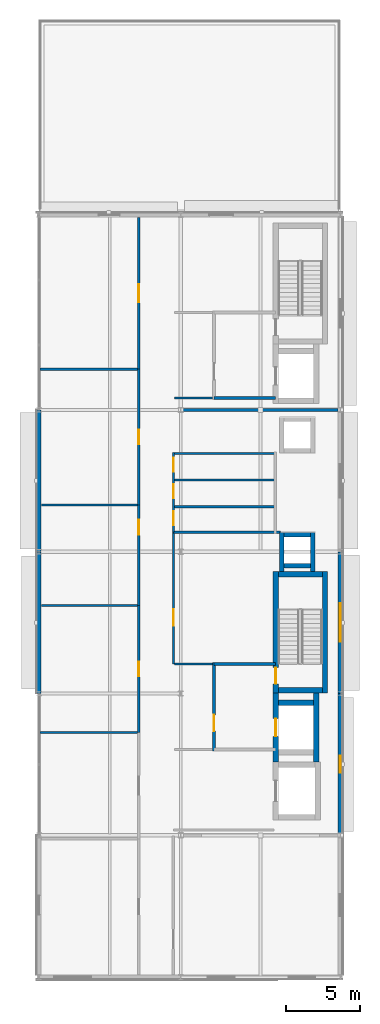
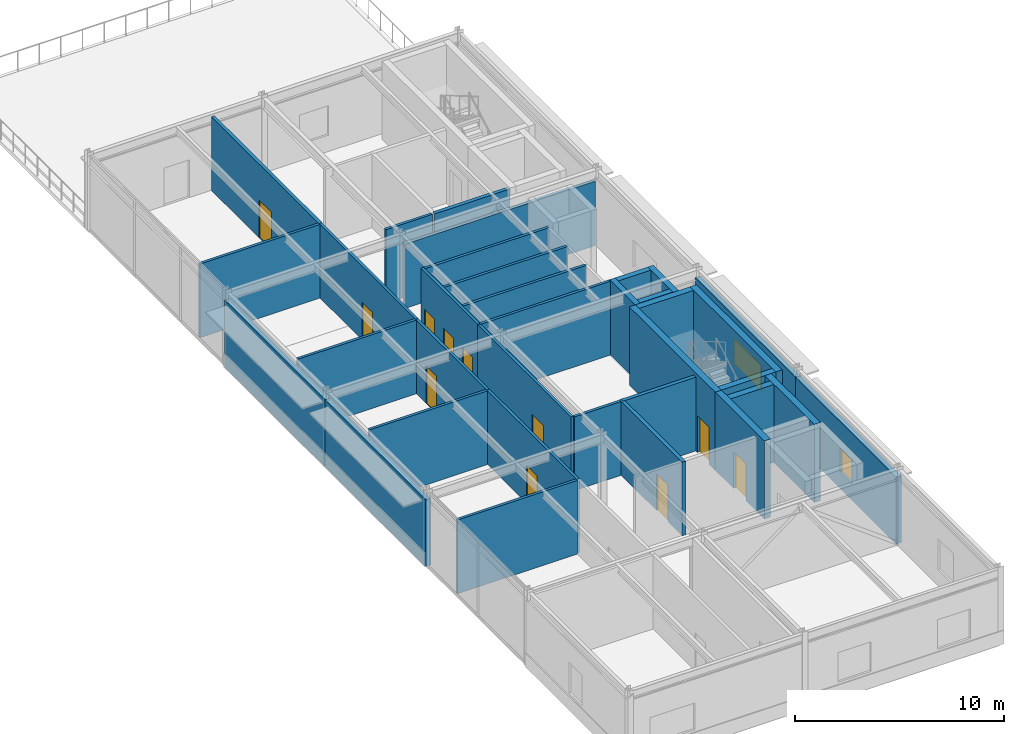
# One storey, part 14 of 18: 35 walls, 11 doors, 2 windows, 13 openings.
"""IFC4 building model written with IfcOpenShell, lengths in metres."""

from ifc_helpers import new_model, si_unit, direction, frame, frame_2d, origin, place, context, subcontext, project, spatial, rectangle, extrude, material, layer, layer_set, type_object, element, fill, save


model = new_model("IFC4")

# Units and contexts
model_context = context("Model", 3, precision=1e-05, world=origin(), true_north=direction((0.0, 1.0)))
body_context = subcontext(model_context, "Body", "Model", "MODEL_VIEW")
ifc_project = project(units=[si_unit("LENGTHUNIT", "METRE"), si_unit("AREAUNIT", "SQUARE_METRE"), si_unit("VOLUMEUNIT", "CUBIC_METRE"), si_unit("PLANEANGLEUNIT", "RADIAN"), si_unit("MASSUNIT", "GRAM", prefix="KILO")], contexts=[model_context])

# Site, building, storey
site_placement = place(None, origin())
site = spatial("IfcSite", under=ifc_project, at=site_placement, CompositionType="ELEMENT")
building_placement = place(site_placement, origin())
building = spatial("IfcBuilding", under=site, at=building_placement, Name="Almandine Court Research Institute", CompositionType="ELEMENT")
storey_placement = place(building_placement, frame((0.0, 0.0, 37.10009765625)))
storey = spatial("IfcBuildingStorey", under=building, at=storey_placement, Name="L08", CompositionType="ELEMENT", Elevation=37.10009765625)

# Walls
ifc_material_1 = material(Name="Insulated Ochre Terracotta Rainscreen Wall", Category="masonry")
ifc_layer_1 = layer(ifc_material_1, 0.2900390625)
ifc_layer_set_1 = layer_set([ifc_layer_1], Name="Insulated Ochre Terracotta Rainscreen Wall")
wall_type_1 = type_object("IfcWallType", Name="Wall-EXT-TERR-290", PredefinedType="SOLIDWALL", material=ifc_layer_set_1)
wall_1_placement = place(storey_placement, frame((153.60009765625, 25.2041015625, 0.0), z_axis=(0.0, 0.0, 1.0), x_axis=(0.0, 1.0, 0.0)))
element("IfcWall", 1, at=wall_1_placement, inside=storey, type_object=wall_type_1, Name="L08 Wet Lab West Facade Wall 3", PredefinedType="SOLIDWALL", context=body_context, shape_type="SweptSolid", body=[
    extrude(rectangle(XDim=9.591796875, YDim=0.2900390625, at=frame_2d((4.7958984375, 0.0))), origin(), (0.0, 0.0, 1.0), 3.907958984375),
])
wall_2_placement = place(storey_placement, frame((153.60009765625, 34.803955078125, 0.0), z_axis=(0.0, 0.0, 1.0), x_axis=(0.0, 1.0, 0.0)))
element("IfcWall", 2, at=wall_2_placement, inside=storey, type_object=wall_type_1, Name="L08 Wet Lab West Facade Wall 4", PredefinedType="SOLIDWALL", context=body_context, shape_type="SweptSolid", body=[
    extrude(rectangle(XDim=9.592041015625, YDim=0.2900390625, at=frame_2d((4.7958984375, 0.0))), origin(), (0.0, 0.0, 1.0), 3.907958984375),
])

# Wall, opening, window
wall_3_placement = place(storey_placement, frame((174.0, 34.7958984375, 0.0), z_axis=(0.0, 0.0, 1.0), x_axis=(0.0, -1.0, 0.0)))
wall_3 = element("IfcWall", 3, at=wall_3_placement, inside=storey, type_object=wall_type_1, Name="L08 Wet Lab East Facade Wall 3", PredefinedType="SOLIDWALL", context=body_context, shape_type="SweptSolid", body=[
    extrude(rectangle(XDim=9.591796875, YDim=0.2900390625, at=frame_2d((4.7958984375, 0.0))), origin(), (0.0, 0.0, 1.0), 3.89892578125),
])
opening_1_placement = place(wall_3_placement, frame((3.5009765625, 0.0, 0.949951171875)))
opening_1 = element("IfcOpeningElement", 4, at=opening_1_placement, cuts=wall_3, Name="Opening WN-65", PredefinedType="OPENING", context=body_context, shape_type="SweptSolid", body=[
    extrude(rectangle(XDim=2.590087890625, YDim=1.47998046875, at=frame_2d((1.294921875, 0.739990234375))), frame((0.0, 0.155029296875, 0.0), z_axis=(0.0, -1.0, 0.0), x_axis=(1.0, 0.0, 0.0)), (0.0, 0.0, 1.0), 0.31005859375),
])
ifc_material_2 = material(Name="Thermally Broken Low-E Double-Glazed Window", Category="glass")
window_type_1 = type_object("IfcWindowType", Name="Win-WN-65-2590x1480", PartitioningType="SINGLE_PANEL", PredefinedType="WINDOW", material=ifc_material_2)
window_1_placement = place(opening_1_placement, origin())
window_1 = element("IfcWindow", 5, at=window_1_placement, inside=storey, type_object=window_type_1, Name="L08 Modular Recessed Low-E Window 188", OverallHeight=1.47998046875, OverallWidth=2.590087890625, PartitioningType="SINGLE_PANEL", PredefinedType="WINDOW", context=body_context, shape_type="SweptSolid", body=[
    extrude(rectangle(XDim=2.590087890625, YDim=1.47998046875, at=frame_2d((1.294921875, 0.739990234375))), frame((0.0, 0.030029296875, 0.0), z_axis=(0.0, -1.0, 0.0), x_axis=(1.0, 0.0, 0.0)), (0.0, 0.0, 1.0), 0.06005859375),
])
fill(opening_1, window_1)

wall_4_placement = place(storey_placement, frame((174.0, 25.196044921875, 0.0), z_axis=(0.0, 0.0, 1.0), x_axis=(0.0, -1.0, 0.0)))
wall_4 = element("IfcWall", 6, at=wall_4_placement, inside=storey, type_object=wall_type_1, Name="L08 Wet Lab East Facade Wall 2", PredefinedType="SOLIDWALL", context=body_context, shape_type="SweptSolid", body=[
    extrude(rectangle(XDim=9.592041015625, YDim=0.2900390625, at=frame_2d((4.7958984375, 0.0))), origin(), (0.0, 0.0, 1.0), 3.89892578125),
])
opening_2_placement = place(wall_4_placement, frame((4.216064453125, 0.0, 0.949951171875)))
opening_2 = element("IfcOpeningElement", 7, at=opening_2_placement, cuts=wall_4, Name="Opening WN-66", PredefinedType="OPENING", context=body_context, shape_type="SweptSolid", body=[
    extrude(rectangle(XDim=1.159912109375, YDim=1.39990234375, at=frame_2d((0.580078125, 0.699951171875))), frame((0.0, 0.155029296875, 0.0), z_axis=(0.0, -1.0, 0.0), x_axis=(1.0, 0.0, 0.0)), (0.0, 0.0, 1.0), 0.31005859375),
])
window_type_2 = type_object("IfcWindowType", Name="Win-WN-66-1160x1400", PartitioningType="SINGLE_PANEL", PredefinedType="WINDOW", material=ifc_material_2)
window_2_placement = place(opening_2_placement, origin())
window_2 = element("IfcWindow", 8, at=window_2_placement, inside=storey, type_object=window_type_2, Name="L08 Modular Recessed Low-E Window 189", OverallHeight=1.39990234375, OverallWidth=1.159912109375, PartitioningType="SINGLE_PANEL", PredefinedType="WINDOW", context=body_context, shape_type="SweptSolid", body=[
    extrude(rectangle(XDim=1.159912109375, YDim=1.39990234375, at=frame_2d((0.580078125, 0.699951171875))), frame((0.0, 0.030029296875, 0.0), z_axis=(0.0, -1.0, 0.0), x_axis=(1.0, 0.0, 0.0)), (0.0, 0.0, 1.0), 0.06005859375),
])
fill(opening_2, window_2)

# Wall, opening, door
ifc_material_3 = material(Name="One-Hour Fire-Rated Laboratory Partition")
ifc_layer_2 = layer(ifc_material_3, 0.175048828125)
ifc_layer_set_2 = layer_set([ifc_layer_2], Name="One-Hour Fire-Rated Laboratory Partition")
wall_type_2 = type_object("IfcWallType", Name="Wall-FIRE-175", PredefinedType="PARTITIONING", material=ifc_layer_set_2)
wall_5_placement = place(storey_placement, frame((160.35009765625, 47.159912109375, 0.0), z_axis=(0.0, 0.0, 1.0), x_axis=(0.0, 1.0, 0.0)))
wall_5 = element("IfcWall", 9, at=wall_5_placement, inside=storey, type_object=wall_type_2, Name="L08 Interior Partition W-V4-L08-WW-5", PredefinedType="PARTITIONING", context=body_context, shape_type="SweptSolid", body=[
    extrude(rectangle(XDim=10.280029296875, YDim=0.175048828125, at=frame_2d((5.14013671875, 0.0))), origin(), (0.0, 0.0, 1.0), 4.2998046875),
])
opening_3_placement = place(wall_5_placement, frame((4.5400390625, 0.0, 0.0)))
opening_3 = element("IfcOpeningElement", 10, at=opening_3_placement, cuts=wall_5, Name="Opening FD-LAB", PredefinedType="OPENING", context=body_context, shape_type="SweptSolid", body=[
    extrude(rectangle(XDim=1.199951171875, YDim=2.199951171875, at=frame_2d((0.60009765625, 1.10009765625))), frame((0.0, 0.097412109375, 0.0), z_axis=(0.0, -1.0, 0.0), x_axis=(1.0, 0.0, 0.0)), (0.0, 0.0, 1.0), 0.195068359375),
])
ifc_material_4 = material(Name="Fire-Rated Laboratory Containment Door")
door_type_1 = type_object("IfcDoorType", Name="Door-FD-LAB-1200", OperationType="NOTDEFINED", PredefinedType="DOOR", material=ifc_material_4)
door_1_placement = place(opening_3_placement, origin())
door_1 = element("IfcDoor", 11, at=door_1_placement, inside=storey, type_object=door_type_1, Name="L08 Wet Chemistry Laboratory Door", OperationType="SINGLE_SWING_RIGHT", OverallHeight=2.199951171875, OverallWidth=1.199951171875, PredefinedType="DOOR", context=body_context, shape_type="SweptSolid", body=[
    extrude(rectangle(XDim=1.199951171875, YDim=2.199951171875, at=frame_2d((0.60009765625, 1.10009765625))), frame((0.0, 0.02490234375, 0.0), z_axis=(0.0, -1.0, 0.0), x_axis=(1.0, 0.0, 0.0)), (0.0, 0.0, 1.0), 0.050048828125),
])
fill(opening_3, door_1)

# Wall
ifc_material_5 = material(Name="Two-Hour Fire-Barrier Enclosure Wall")
ifc_layer_3 = layer(ifc_material_5, 0.199951171875)
ifc_layer_set_3 = layer_set([ifc_layer_3], Name="Two-Hour Fire-Barrier Enclosure Wall")
wall_type_3 = type_object("IfcWallType", Name="Wall-FIRE-200", PredefinedType="SOLIDWALL", material=ifc_layer_set_3)
wall_6_placement = place(storey_placement, frame((163.360107421875, 44.39990234375, 0.0), z_axis=(0.0, 0.0, 1.0), x_axis=(1.0, 0.0, 0.0)))
element("IfcWall", 12, at=wall_6_placement, inside=storey, type_object=wall_type_3, Name="L08 Interior Partition W-BF-V4-BF2-L08", PredefinedType="SOLIDWALL", context=body_context, shape_type="SweptSolid", body=[
    extrude(rectangle(XDim=10.47998046875, YDim=0.199951171875, at=frame_2d((5.239990234375, 0.0))), origin(), (0.0, 0.0, 1.0), 3.751953125),
])

# Wall, opening, door
wall_7_placement = place(storey_placement, frame((165.449951171875, 21.300048828125, 0.0), z_axis=(0.0, 0.0, 1.0), x_axis=(0.0, 1.0, 0.0)))
wall_7 = element("IfcWall", 13, at=wall_7_placement, inside=storey, type_object=wall_type_3, Name="L08 Interior Partition W-FFL1-L08-W", PredefinedType="SOLIDWALL", context=body_context, shape_type="SweptSolid", body=[
    extrude(rectangle(XDim=6.0, YDim=0.199951171875, at=frame_2d((3.0, 0.0))), origin(), (0.0, 0.0, 1.0), 4.2998046875),
])
opening_4_placement = place(wall_7_placement, frame((1.35009765625, 0.0, 0.0)))
opening_4 = element("IfcOpeningElement", 14, at=opening_4_placement, cuts=wall_7, Name="Opening FD-FFL", PredefinedType="OPENING", context=body_context, shape_type="SweptSolid", body=[
    extrude(rectangle(XDim=1.10009765625, YDim=2.14990234375, at=frame_2d((0.550048828125, 1.074951171875))), frame((0.0, 0.10986328125, 0.0), z_axis=(0.0, -1.0, 0.0), x_axis=(1.0, 0.0, 0.0)), (0.0, 0.0, 1.0), 0.219970703125),
])
ifc_material_6 = material(Name="Smoke-Tight Firefighting Lobby Fire Door")
door_type_2 = type_object("IfcDoorType", Name="Door-FD-FFL-1100", OperationType="NOTDEFINED", PredefinedType="DOOR", material=ifc_material_6)
door_2_placement = place(opening_4_placement, origin())
door_2 = element("IfcDoor", 15, at=door_2_placement, inside=storey, type_object=door_type_2, Name="L08 Firefighting Lobby Fire Door 1", OperationType="SINGLE_SWING_RIGHT", OverallHeight=2.14990234375, OverallWidth=1.10009765625, PredefinedType="DOOR", context=body_context, shape_type="SweptSolid", body=[
    extrude(rectangle(XDim=1.10009765625, YDim=2.14990234375, at=frame_2d((0.550048828125, 1.074951171875))), frame((0.0, 0.02490234375, 0.0), z_axis=(0.0, -1.0, 0.0), x_axis=(1.0, 0.0, 0.0)), (0.0, 0.0, 1.0), 0.050048828125),
])
fill(opening_4, door_2)

# Walls
for number, where, z_axis, x_axis, name in (
    (16, (165.449951171875, 27.199951171875, 0.0), (0.0, 0.0, 1.0), (1.0, 0.0, 0.0), "L08 Interior Partition W-FFL1-L08-N"),
    (17, (165.449951171875, 45.199951171875, 0.0), (0.0, 0.0, 1.0), (1.0, 0.0, 0.0), "L08 Interior Partition W-FFL2-L08-S"),
):
    element("IfcWall", number, at=place(storey_placement, frame(where, z_axis=z_axis, x_axis=x_axis)), inside=storey, type_object=wall_type_3, Name=name, PredefinedType="SOLIDWALL", context=body_context, shape_type="SweptSolid", body=[
        extrude(rectangle(XDim=4.150146484375, YDim=0.199951171875, at=frame_2d((2.0751953125, 0.0))), origin(), (0.0, 0.0, 1.0), 4.2998046875),
    ])
ifc_material_7 = material(Name="Acoustic Steel-Stud Gypsum Partition Wall", Category="steel")
ifc_layer_4 = layer(ifc_material_7, 0.14990234375)
ifc_layer_set_4 = layer_set([ifc_layer_4], Name="Acoustic Steel-Stud Gypsum Partition Wall")
wall_type_4 = type_object("IfcWallType", Name="Wall-PART-150", PredefinedType="PARTITIONING", material=ifc_layer_set_4)
for number, where, z_axis, x_axis, name in (
    (18, (162.699951171875, 37.85009765625, 0.0), (0.0, 0.0, 1.0), (1.0, 0.0, 0.0), "L08 Interior Partition W-V4-L08-WCH-1"),
    (19, (162.699951171875, 39.64990234375, 0.0), (0.0, 0.0, 1.0), (1.0, 0.0, 0.0), "L08 Interior Partition W-V4-L08-WCH-2"),
    (20, (162.699951171875, 41.449951171875, 0.0), (0.0, 0.0, 1.0), (1.0, 0.0, 0.0), "L08 Interior Partition W-V4-L08-WCH-3"),
):
    element("IfcWall", number, at=place(storey_placement, frame(where, z_axis=z_axis, x_axis=x_axis)), inside=storey, type_object=wall_type_4, Name=name, PredefinedType="PARTITIONING", context=body_context, shape_type="SweptSolid", body=[
        extrude(rectangle(XDim=6.900146484375, YDim=0.14990234375, at=frame_2d((3.4501953125, 0.0))), origin(), (0.0, 0.0, 1.0), 4.2998046875),
    ])
wall_8_placement = place(storey_placement, frame((162.699951171875, 36.1201171875, 0.0), z_axis=(0.0, 0.0, 1.0), x_axis=(1.0, 0.0, 0.0)))
element("IfcWall", 21, at=wall_8_placement, inside=storey, type_object=wall_type_4, Name="L08 Interior Partition W-V4-L08-WCS", PredefinedType="PARTITIONING", context=body_context, shape_type="SweptSolid", body=[
    extrude(rectangle(XDim=7.25, YDim=0.14990234375, at=frame_2d((3.625, 0.0))), origin(), (0.0, 0.0, 1.0), 4.2998046875),
])

# Wall, openings, doors
wall_9_placement = place(storey_placement, frame((162.699951171875, 36.1201171875, 0.0), z_axis=(0.0, 0.0, 1.0), x_axis=(0.0, 1.0, 0.0)))
wall_9 = element("IfcWall", 22, at=wall_9_placement, inside=storey, type_object=wall_type_4, Name="L08 Interior Partition W-V4-L08-WC-ALL", PredefinedType="PARTITIONING", context=body_context, shape_type="SweptSolid", body=[
    extrude(rectangle(XDim=5.39990234375, YDim=0.14990234375, at=frame_2d((2.699951171875, 0.0))), origin(), (0.0, 0.0, 1.0), 4.2998046875),
])
opening_5_placement = place(wall_9_placement, frame((0.47998046875, 0.0, 0.0)))
opening_5 = element("IfcOpeningElement", 23, at=opening_5_placement, cuts=wall_9, Name="Opening D-01", PredefinedType="OPENING", context=body_context, shape_type="SweptSolid", body=[
    extrude(rectangle(XDim=0.949951171875, YDim=2.10009765625, at=frame_2d((0.47509765625, 1.050048828125))), frame((0.0, 0.0849609375, 0.0), z_axis=(0.0, -1.0, 0.0), x_axis=(1.0, 0.0, 0.0)), (0.0, 0.0, 1.0), 0.169921875),
])
opening_6_placement = place(wall_9_placement, frame((2.300048828125, 0.0, 0.0)))
opening_6 = element("IfcOpeningElement", 24, at=opening_6_placement, cuts=wall_9, Name="Opening D-01", PredefinedType="OPENING", context=body_context, shape_type="SweptSolid", body=[
    extrude(rectangle(XDim=0.949951171875, YDim=2.10009765625, at=frame_2d((0.47509765625, 1.050048828125))), frame((0.0, 0.0849609375, 0.0), z_axis=(0.0, -1.0, 0.0), x_axis=(1.0, 0.0, 0.0)), (0.0, 0.0, 1.0), 0.169921875),
])
opening_7_placement = place(wall_9_placement, frame((4.10009765625, 0.0, 0.0)))
opening_7 = element("IfcOpeningElement", 25, at=opening_7_placement, cuts=wall_9, Name="Opening D-01", PredefinedType="OPENING", context=body_context, shape_type="SweptSolid", body=[
    extrude(rectangle(XDim=0.949951171875, YDim=2.10009765625, at=frame_2d((0.47509765625, 1.050048828125))), frame((0.0, 0.0849609375, 0.0), z_axis=(0.0, -1.0, 0.0), x_axis=(1.0, 0.0, 0.0)), (0.0, 0.0, 1.0), 0.169921875),
])
ifc_material_8 = material(Name="Solid-Core Timber Acoustic Room Door", Category="wood")
door_type_3 = type_object("IfcDoorType", Name="Door-INT-950", OperationType="NOTDEFINED", PredefinedType="DOOR", material=ifc_material_8)
door_3_placement = place(opening_5_placement, origin())
door_3 = element("IfcDoor", 26, at=door_3_placement, inside=storey, type_object=door_type_3, Name="L08 V4 Male Toilet Door", OperationType="SINGLE_SWING_RIGHT", OverallHeight=2.10009765625, OverallWidth=0.949951171875, PredefinedType="DOOR", context=body_context, shape_type="SweptSolid", body=[
    extrude(rectangle(XDim=0.949951171875, YDim=2.10009765625, at=frame_2d((0.47509765625, 1.050048828125))), frame((0.0, 0.02490234375, 0.0), z_axis=(0.0, -1.0, 0.0), x_axis=(1.0, 0.0, 0.0)), (0.0, 0.0, 1.0), 0.050048828125),
])
fill(opening_5, door_3)
door_4_placement = place(opening_6_placement, origin())
door_4 = element("IfcDoor", 27, at=door_4_placement, inside=storey, type_object=door_type_3, Name="L08 V4 Female Toilet Door", OperationType="SINGLE_SWING_LEFT", OverallHeight=2.10009765625, OverallWidth=0.949951171875, PredefinedType="DOOR", context=body_context, shape_type="SweptSolid", body=[
    extrude(rectangle(XDim=0.949951171875, YDim=2.10009765625, at=frame_2d((0.47509765625, 1.050048828125))), frame((0.0, 0.02490234375, 0.0), z_axis=(0.0, -1.0, 0.0), x_axis=(1.0, 0.0, 0.0)), (0.0, 0.0, 1.0), 0.050048828125),
])
fill(opening_6, door_4)
door_5_placement = place(opening_7_placement, origin())
door_5 = element("IfcDoor", 28, at=door_5_placement, inside=storey, type_object=door_type_3, Name="L08 V4 Accessible WC Door", OperationType="SINGLE_SWING_RIGHT", OverallHeight=2.10009765625, OverallWidth=0.949951171875, PredefinedType="DOOR", context=body_context, shape_type="SweptSolid", body=[
    extrude(rectangle(XDim=0.949951171875, YDim=2.10009765625, at=frame_2d((0.47509765625, 1.050048828125))), frame((0.0, 0.02490234375, 0.0), z_axis=(0.0, -1.0, 0.0), x_axis=(1.0, 0.0, 0.0)), (0.0, 0.0, 1.0), 0.050048828125),
])
fill(opening_7, door_5)

# Wall
wall_10_placement = place(storey_placement, frame((153.659912109375, 22.56005859375, 0.0), z_axis=(0.0, 0.0, 1.0), x_axis=(1.0, 0.0, 0.0)))
element("IfcWall", 29, at=wall_10_placement, inside=storey, type_object=wall_type_4, Name="L08 Interior Partition W-V4-L08-WDIV-1", PredefinedType="PARTITIONING", context=body_context, shape_type="SweptSolid", body=[
    extrude(rectangle(XDim=6.610107421875, YDim=0.14990234375, at=frame_2d((3.30517578125, 0.0))), origin(), (0.0, 0.0, 1.0), 4.2998046875),
])

# Wall, opening, door
wall_11_placement = place(storey_placement, frame((160.35009765625, 22.56005859375, 0.0), z_axis=(0.0, 0.0, 1.0), x_axis=(0.0, 1.0, 0.0)))
wall_11 = element("IfcWall", 30, at=wall_11_placement, inside=storey, type_object=wall_type_4, Name="L08 Interior Partition W-V4-L08-WW-2", PredefinedType="PARTITIONING", context=body_context, shape_type="SweptSolid", body=[
    extrude(rectangle(XDim=8.599853515625, YDim=0.14990234375, at=frame_2d((4.2998046875, 0.0))), origin(), (0.0, 0.0, 1.0), 4.2998046875),
])
opening_8_placement = place(wall_11_placement, frame((3.800048828125, 0.0, 0.0)))
opening_8 = element("IfcOpeningElement", 31, at=opening_8_placement, cuts=wall_11, Name="Opening D-02", PredefinedType="OPENING", context=body_context, shape_type="SweptSolid", body=[
    extrude(rectangle(XDim=1.0, YDim=2.199951171875, at=frame_2d((0.5, 1.10009765625))), frame((0.0, 0.0849609375, 0.0), z_axis=(0.0, -1.0, 0.0), x_axis=(1.0, 0.0, 0.0)), (0.0, 0.0, 1.0), 0.169921875),
])
ifc_material_9 = material(Name="Solid-Core Timber Researcher Office Door", Category="wood")
door_type_4 = type_object("IfcDoorType", Name="Door-INT-1000", OperationType="NOTDEFINED", PredefinedType="DOOR", material=ifc_material_9)
door_6_placement = place(opening_8_placement, origin())
door_6 = element("IfcDoor", 32, at=door_6_placement, inside=storey, type_object=door_type_4, Name="L08 Seminar Room Door", OperationType="SINGLE_SWING_LEFT", OverallHeight=2.199951171875, OverallWidth=1.0, PredefinedType="DOOR", context=body_context, shape_type="SweptSolid", body=[
    extrude(rectangle(XDim=1.0, YDim=2.199951171875, at=frame_2d((0.5, 1.10009765625))), frame((0.0, 0.02490234375, 0.0), z_axis=(0.0, -1.0, 0.0), x_axis=(1.0, 0.0, 0.0)), (0.0, 0.0, 1.0), 0.050048828125),
])
fill(opening_8, door_6)

# Wall
wall_12_placement = place(storey_placement, frame((153.760009765625, 31.159912109375, 0.0), z_axis=(0.0, 0.0, 1.0), x_axis=(1.0, 0.0, 0.0)))
element("IfcWall", 33, at=wall_12_placement, inside=storey, type_object=wall_type_4, Name="L08 Interior Partition W-V4-L08-WDIV-2", PredefinedType="PARTITIONING", context=body_context, shape_type="SweptSolid", body=[
    extrude(rectangle(XDim=6.510009765625, YDim=0.14990234375, at=frame_2d((3.2548828125, 0.0))), origin(), (0.0, 0.0, 1.0), 4.2998046875),
])

# Wall, opening, door
wall_13_placement = place(storey_placement, frame((160.35009765625, 31.159912109375, 0.0), z_axis=(0.0, 0.0, 1.0), x_axis=(0.0, 1.0, 0.0)))
wall_13 = element("IfcWall", 34, at=wall_13_placement, inside=storey, type_object=wall_type_4, Name="L08 Interior Partition W-V4-L08-WW-3", PredefinedType="PARTITIONING", context=body_context, shape_type="SweptSolid", body=[
    extrude(rectangle(XDim=6.800048828125, YDim=0.14990234375, at=frame_2d((3.39990234375, 0.0))), origin(), (0.0, 0.0, 1.0), 4.2998046875),
])
opening_9_placement = place(wall_13_placement, frame((4.7900390625, 0.0, 0.0)))
opening_9 = element("IfcOpeningElement", 35, at=opening_9_placement, cuts=wall_13, Name="Opening D-02", PredefinedType="OPENING", context=body_context, shape_type="SweptSolid", body=[
    extrude(rectangle(XDim=1.0, YDim=2.199951171875, at=frame_2d((0.5, 1.10009765625))), frame((0.0, 0.0849609375, 0.0), z_axis=(0.0, -1.0, 0.0), x_axis=(1.0, 0.0, 0.0)), (0.0, 0.0, 1.0), 0.169921875),
])
door_7_placement = place(opening_9_placement, origin())
door_7 = element("IfcDoor", 36, at=door_7_placement, inside=storey, type_object=door_type_4, Name="L08 Instrument Room Door", OperationType="SINGLE_SWING_RIGHT", OverallHeight=2.199951171875, OverallWidth=1.0, PredefinedType="DOOR", context=body_context, shape_type="SweptSolid", body=[
    extrude(rectangle(XDim=1.0, YDim=2.199951171875, at=frame_2d((0.5, 1.10009765625))), frame((0.0, 0.02490234375, 0.0), z_axis=(0.0, -1.0, 0.0), x_axis=(1.0, 0.0, 0.0)), (0.0, 0.0, 1.0), 0.050048828125),
])
fill(opening_9, door_7)

# Wall
wall_14_placement = place(storey_placement, frame((153.760009765625, 37.9599609375, 0.0), z_axis=(0.0, 0.0, 1.0), x_axis=(1.0, 0.0, 0.0)))
element("IfcWall", 37, at=wall_14_placement, inside=storey, type_object=wall_type_4, Name="L08 Interior Partition W-V4-L08-WDIV-3", PredefinedType="PARTITIONING", context=body_context, shape_type="SweptSolid", body=[
    extrude(rectangle(XDim=6.510009765625, YDim=0.14990234375, at=frame_2d((3.2548828125, 0.0))), origin(), (0.0, 0.0, 1.0), 4.2998046875),
])

# Wall, opening, door
wall_15_placement = place(storey_placement, frame((160.35009765625, 37.9599609375, 0.0), z_axis=(0.0, 0.0, 1.0), x_axis=(0.0, 1.0, 0.0)))
wall_15 = element("IfcWall", 38, at=wall_15_placement, inside=storey, type_object=wall_type_4, Name="L08 Interior Partition W-V4-L08-WW-4", PredefinedType="PARTITIONING", context=body_context, shape_type="SweptSolid", body=[
    extrude(rectangle(XDim=9.199951171875, YDim=0.14990234375, at=frame_2d((4.60009765625, 0.0))), origin(), (0.0, 0.0, 1.0), 4.2998046875),
])
opening_10_placement = place(wall_15_placement, frame((4.10009765625, 0.0, 0.0)))
opening_10 = element("IfcOpeningElement", 39, at=opening_10_placement, cuts=wall_15, Name="Opening D-02", PredefinedType="OPENING", context=body_context, shape_type="SweptSolid", body=[
    extrude(rectangle(XDim=1.0, YDim=2.199951171875, at=frame_2d((0.5, 1.10009765625))), frame((0.0, 0.0849609375, 0.0), z_axis=(0.0, -1.0, 0.0), x_axis=(1.0, 0.0, 0.0)), (0.0, 0.0, 1.0), 0.169921875),
])
door_8_placement = place(opening_10_placement, origin())
door_8 = element("IfcDoor", 40, at=door_8_placement, inside=storey, type_object=door_type_4, Name="L08 Write-up Office Door", OperationType="SINGLE_SWING_LEFT", OverallHeight=2.199951171875, OverallWidth=1.0, PredefinedType="DOOR", context=body_context, shape_type="SweptSolid", body=[
    extrude(rectangle(XDim=1.0, YDim=2.199951171875, at=frame_2d((0.5, 1.10009765625))), frame((0.0, 0.02490234375, 0.0), z_axis=(0.0, -1.0, 0.0), x_axis=(1.0, 0.0, 0.0)), (0.0, 0.0, 1.0), 0.050048828125),
])
fill(opening_10, door_8)

# Walls
wall_16_placement = place(storey_placement, frame((153.659912109375, 47.159912109375, 0.0), z_axis=(0.0, 0.0, 1.0), x_axis=(1.0, 0.0, 0.0)))
element("IfcWall", 41, at=wall_16_placement, inside=storey, type_object=wall_type_4, Name="L08 Interior Partition W-V4-L08-WDIV-4", PredefinedType="PARTITIONING", context=body_context, shape_type="SweptSolid", body=[
    extrude(rectangle(XDim=6.610107421875, YDim=0.14990234375, at=frame_2d((3.30517578125, 0.0))), origin(), (0.0, 0.0, 1.0), 4.2998046875),
])
wall_17_placement = place(storey_placement, frame((162.780029296875, 27.199951171875, 0.0), z_axis=(0.0, 0.0, 1.0), x_axis=(1.0, 0.0, 0.0)))
element("IfcWall", 42, at=wall_17_placement, inside=storey, type_object=wall_type_4, Name="L08 Interior Partition W-V4-L08-SPEC-S", PredefinedType="PARTITIONING", context=body_context, shape_type="SweptSolid", body=[
    extrude(rectangle(XDim=2.570068359375, YDim=0.14990234375, at=frame_2d((1.28515625, 0.0))), origin(), (0.0, 0.0, 1.0), 4.2998046875),
])

# Wall, opening, door
wall_18_placement = place(storey_placement, frame((162.699951171875, 27.199951171875, 0.0), z_axis=(0.0, 0.0, 1.0), x_axis=(0.0, 1.0, 0.0)))
wall_18 = element("IfcWall", 43, at=wall_18_placement, inside=storey, type_object=wall_type_4, Name="L08 Interior Partition W-V4-L08-EW-M", PredefinedType="PARTITIONING", context=body_context, shape_type="SweptSolid", body=[
    extrude(rectangle(XDim=8.920166015625, YDim=0.14990234375, at=frame_2d((4.4599609375, 0.0))), origin(), (0.0, 0.0, 1.0), 4.2998046875),
])
opening_11_placement = place(wall_18_placement, frame((2.60009765625, 0.0, 0.0)))
opening_11 = element("IfcOpeningElement", 44, at=opening_11_placement, cuts=wall_18, Name="Opening D-03", PredefinedType="OPENING", context=body_context, shape_type="SweptSolid", body=[
    extrude(rectangle(XDim=1.10009765625, YDim=2.199951171875, at=frame_2d((0.550048828125, 1.10009765625))), frame((0.0, 0.0849609375, 0.0), z_axis=(0.0, -1.0, 0.0), x_axis=(1.0, 0.0, 0.0)), (0.0, 0.0, 1.0), 0.169921875),
])
ifc_material_10 = material(Name="Acoustic Vision-Panel Seminar Door")
door_type_5 = type_object("IfcDoorType", Name="Door-INT-1100", OperationType="NOTDEFINED", PredefinedType="DOOR", material=ifc_material_10)
door_9_placement = place(opening_11_placement, origin())
door_9 = element("IfcDoor", 45, at=door_9_placement, inside=storey, type_object=door_type_5, Name="L08 Spectroscopy Suite Door", OperationType="SINGLE_SWING_LEFT", OverallHeight=2.199951171875, OverallWidth=1.10009765625, PredefinedType="DOOR", context=body_context, shape_type="SweptSolid", body=[
    extrude(rectangle(XDim=1.10009765625, YDim=2.199951171875, at=frame_2d((0.550048828125, 1.10009765625))), frame((0.0, 0.02490234375, 0.0), z_axis=(0.0, -1.0, 0.0), x_axis=(1.0, 0.0, 0.0)), (0.0, 0.0, 1.0), 0.050048828125),
])
fill(opening_11, door_9)

# Walls
wall_19_placement = place(storey_placement, frame((162.780029296875, 45.199951171875, 0.0), z_axis=(0.0, 0.0, 1.0), x_axis=(1.0, 0.0, 0.0)))
element("IfcWall", 46, at=wall_19_placement, inside=storey, type_object=wall_type_4, Name="L08 Interior Partition W-V4-L08-FFL2-CS", PredefinedType="PARTITIONING", context=body_context, shape_type="SweptSolid", body=[
    extrude(rectangle(XDim=2.570068359375, YDim=0.14990234375, at=frame_2d((1.28515625, 0.0))), origin(), (0.0, 0.0, 1.0), 4.2998046875),
])
ifc_material_11 = material(Name="Concrete C40/50", Category="concrete")
ifc_layer_5 = layer(ifc_material_11, 0.300048828125)
ifc_layer_set_5 = layer_set([ifc_layer_5], Name="Concrete C40/50")
wall_type_5 = type_object("IfcWallType", Name="Wall-SW-CORE-300", PredefinedType="SHEAR", material=ifc_layer_set_5)
wall_20_placement = place(storey_placement, frame((170.050048828125, 33.449951171875, 0.0), z_axis=(0.0, 0.0, 1.0), x_axis=(0.0, 1.0, 0.0)))
element("IfcWall", 47, at=wall_20_placement, inside=storey, type_object=wall_type_5, Name="L08 MEP Riser RS-V4A W Shear Wall", PredefinedType="SHEAR", context=body_context, shape_type="SweptSolid", body=[
    extrude(rectangle(XDim=2.650146484375, YDim=0.300048828125, at=frame_2d((1.3251953125, 0.0))), origin(), (0.0, 0.0, 1.0), 4.369873046875),
])
wall_21_placement = place(storey_placement, frame((170.199951171875, 35.949951171875, 0.0), z_axis=(0.0, 0.0, 1.0), x_axis=(1.0, 0.0, 0.0)))
element("IfcWall", 48, at=wall_21_placement, inside=storey, type_object=wall_type_5, Name="L08 MEP Riser RS-V4A N Shear Wall", PredefinedType="SHEAR", context=body_context, shape_type="SweptSolid", body=[
    extrude(rectangle(XDim=1.800048828125, YDim=0.300048828125, at=frame_2d((0.89990234375, 0.0))), origin(), (0.0, 0.0, 1.0), 4.369873046875),
])
wall_22_placement = place(storey_placement, frame((172.14990234375, 36.10009765625, 0.0), z_axis=(0.0, 0.0, 1.0), x_axis=(0.0, -1.0, 0.0)))
element("IfcWall", 49, at=wall_22_placement, inside=storey, type_object=wall_type_5, Name="L08 MEP Riser RS-V4A E Shear Wall", PredefinedType="SHEAR", context=body_context, shape_type="SweptSolid", body=[
    extrude(rectangle(XDim=2.650146484375, YDim=0.300048828125, at=frame_2d((1.3251953125, 0.0))), origin(), (0.0, 0.0, 1.0), 4.369873046875),
])
wall_23_placement = place(storey_placement, frame((172.0, 33.85009765625, 0.0), z_axis=(0.0, 0.0, 1.0), x_axis=(-1.0, 0.0, 0.0)))
element("IfcWall", 50, at=wall_23_placement, inside=storey, type_object=wall_type_5, Name="L08 MEP Riser RS-V4A S Shear Wall", PredefinedType="SHEAR", context=body_context, shape_type="SweptSolid", body=[
    extrude(rectangle(XDim=1.800048828125, YDim=0.300048828125, at=frame_2d((0.89990234375, 0.0))), origin(), (0.0, 0.0, 1.0), 4.369873046875),
])

# Wall, opening, door
ifc_layer_6 = layer(ifc_material_11, 0.35009765625)
ifc_layer_set_6 = layer_set([ifc_layer_6], Name="Concrete C40/50")
wall_type_6 = type_object("IfcWallType", Name="Wall-SW-CORE-350", PredefinedType="SHEAR", material=ifc_layer_set_6)
wall_24_placement = place(storey_placement, frame((169.625, 25.25, 0.0), z_axis=(0.0, 0.0, 1.0), x_axis=(0.0, 1.0, 0.0)))
wall_24 = element("IfcWall", 51, at=wall_24_placement, inside=storey, type_object=wall_type_6, Name="L08 ST-07 W Shear Wall", PredefinedType="SHEAR", context=body_context, shape_type="SweptSolid", body=[
    extrude(rectangle(XDim=8.199951171875, YDim=0.35009765625, at=frame_2d((4.10009765625, 0.0))), origin(), (0.0, 0.0, 1.0), 4.5498046875),
])
opening_12_placement = place(wall_24_placement, frame((0.60009765625, 0.0, 0.0)))
opening_12 = element("IfcOpeningElement", 52, at=opening_12_placement, cuts=wall_24, Name="Opening FD-STAIR", PredefinedType="OPENING", context=body_context, shape_type="SweptSolid", body=[
    extrude(rectangle(XDim=1.10009765625, YDim=2.14990234375, at=frame_2d((0.550048828125, 1.074951171875))), frame((0.0, 0.18505859375, 0.0), z_axis=(0.0, -1.0, 0.0), x_axis=(1.0, 0.0, 0.0)), (0.0, 0.0, 1.0), 0.3701171875),
])
ifc_material_12 = material(Name="Self-Closing Steel Exit Stair Fire Door", Category="steel")
door_type_6 = type_object("IfcDoorType", Name="Door-FD-STAIR-1100", OperationType="NOTDEFINED", PredefinedType="DOOR", material=ifc_material_12)
door_10_placement = place(opening_12_placement, origin())
door_10 = element("IfcDoor", 53, at=door_10_placement, inside=storey, type_object=door_type_6, Name="L08 Exit Stair ST-07 Fire Door", OperationType="SINGLE_SWING_LEFT", OverallHeight=2.14990234375, OverallWidth=1.10009765625, PredefinedType="DOOR", context=body_context, shape_type="SweptSolid", body=[
    extrude(rectangle(XDim=1.10009765625, YDim=2.14990234375, at=frame_2d((0.550048828125, 1.074951171875))), frame((0.0, 0.02490234375, 0.0), z_axis=(0.0, -1.0, 0.0), x_axis=(1.0, 0.0, 0.0)), (0.0, 0.0, 1.0), 0.050048828125),
])
fill(opening_12, door_10)

# Walls
wall_25_placement = place(storey_placement, frame((169.800048828125, 33.27490234375, 0.0), z_axis=(0.0, 0.0, 1.0), x_axis=(1.0, 0.0, 0.0)))
element("IfcWall", 54, at=wall_25_placement, inside=storey, type_object=wall_type_6, Name="L08 ST-07 N Shear Wall", PredefinedType="SHEAR", context=body_context, shape_type="SweptSolid", body=[
    extrude(rectangle(XDim=3.0, YDim=0.35009765625, at=frame_2d((1.5, 0.0))), origin(), (0.0, 0.0, 1.0), 4.5498046875),
])
wall_26_placement = place(storey_placement, frame((172.97509765625, 33.449951171875, 0.0), z_axis=(0.0, 0.0, 1.0), x_axis=(0.0, -1.0, 0.0)))
element("IfcWall", 55, at=wall_26_placement, inside=storey, type_object=wall_type_6, Name="L08 ST-07 E Shear Wall", PredefinedType="SHEAR", context=body_context, shape_type="SweptSolid", body=[
    extrude(rectangle(XDim=8.199951171875, YDim=0.35009765625, at=frame_2d((4.10009765625, 0.0))), origin(), (0.0, 0.0, 1.0), 4.5498046875),
])
wall_27_placement = place(storey_placement, frame((172.800048828125, 25.425048828125, 0.0), z_axis=(0.0, 0.0, 1.0), x_axis=(-1.0, 0.0, 0.0)))
element("IfcWall", 56, at=wall_27_placement, inside=storey, type_object=wall_type_6, Name="L08 ST-07 S Shear Wall", PredefinedType="SHEAR", context=body_context, shape_type="SweptSolid", body=[
    extrude(rectangle(XDim=3.0, YDim=0.35009765625, at=frame_2d((1.5, 0.0))), origin(), (0.0, 0.0, 1.0), 4.5498046875),
])

# Wall, opening, door
wall_28_placement = place(storey_placement, frame((169.625, 20.550048828125, 0.0), z_axis=(0.0, 0.0, 1.0), x_axis=(0.0, 1.0, 0.0)))
wall_28 = element("IfcWall", 57, at=wall_28_placement, inside=storey, type_object=wall_type_6, Name="L08 FL-01 Hoistway W Shear Wall", PredefinedType="SHEAR", context=body_context, shape_type="SweptSolid", body=[
    extrude(rectangle(XDim=4.699951171875, YDim=0.35009765625, at=frame_2d((2.35009765625, 0.0))), origin(), (0.0, 0.0, 1.0), 4.5498046875),
])
opening_13_placement = place(wall_28_placement, frame((1.75, 0.0, 0.0)))
opening_13 = element("IfcOpeningElement", 58, at=opening_13_placement, cuts=wall_28, Name="Opening LD-02", PredefinedType="OPENING", context=body_context, shape_type="SweptSolid", body=[
    extrude(rectangle(XDim=1.199951171875, YDim=2.14990234375, at=frame_2d((0.60009765625, 1.074951171875))), frame((0.0, 0.18505859375, 0.0), z_axis=(0.0, -1.0, 0.0), x_axis=(1.0, 0.0, 0.0)), (0.0, 0.0, 1.0), 0.3701171875),
])
ifc_material_13 = material(Name="Firefighting Lift Landing Sliding Door")
door_type_7 = type_object("IfcDoorType", Name="Door-LD-FSAE-1200", OperationType="SLIDING_TO_LEFT", PredefinedType="USERDEFINED", material=ifc_material_13)
door_11_placement = place(opening_13_placement, origin())
door_11 = element("IfcDoor", 59, at=door_11_placement, inside=storey, type_object=door_type_7, Name="L08 Firefighting Lift FL-01 Sliding Landing Door", ObjectType="LANDING DOOR", OperationType="SLIDING_TO_LEFT", OverallHeight=2.14990234375, OverallWidth=1.199951171875, PredefinedType="USERDEFINED", context=body_context, shape_type="SweptSolid", body=[
    extrude(rectangle(XDim=1.199951171875, YDim=2.14990234375, at=frame_2d((0.60009765625, 1.074951171875))), frame((0.0, 0.02490234375, 0.0), z_axis=(0.0, -1.0, 0.0), x_axis=(1.0, 0.0, 0.0)), (0.0, 0.0, 1.0), 0.050048828125),
])
fill(opening_13, door_11)

# Walls
wall_29_placement = place(storey_placement, frame((169.800048828125, 24.574951171875, 0.0), z_axis=(0.0, 0.0, 1.0), x_axis=(1.0, 0.0, 0.0)))
element("IfcWall", 60, at=wall_29_placement, inside=storey, type_object=wall_type_6, Name="L08 FL-01 Hoistway N Shear Wall", PredefinedType="SHEAR", context=body_context, shape_type="SweptSolid", body=[
    extrude(rectangle(XDim=2.39990234375, YDim=0.35009765625, at=frame_2d((1.199951171875, 0.0))), origin(), (0.0, 0.0, 1.0), 4.5498046875),
])
wall_30_placement = place(storey_placement, frame((172.375, 25.25, 0.0), z_axis=(0.0, 0.0, 1.0), x_axis=(0.0, -1.0, 0.0)))
element("IfcWall", 61, at=wall_30_placement, inside=storey, type_object=wall_type_6, Name="L08 FL-01 Hoistway E Shear Wall", PredefinedType="SHEAR", context=body_context, shape_type="SweptSolid", body=[
    extrude(rectangle(XDim=4.699951171875, YDim=0.35009765625, at=frame_2d((2.35009765625, 0.0))), origin(), (0.0, 0.0, 1.0), 4.5498046875),
])

save(model, "model.ifc")
